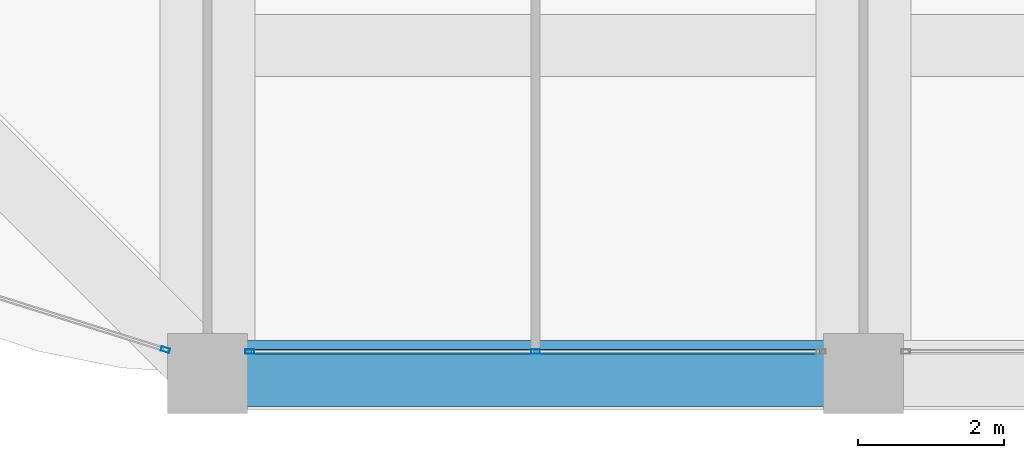
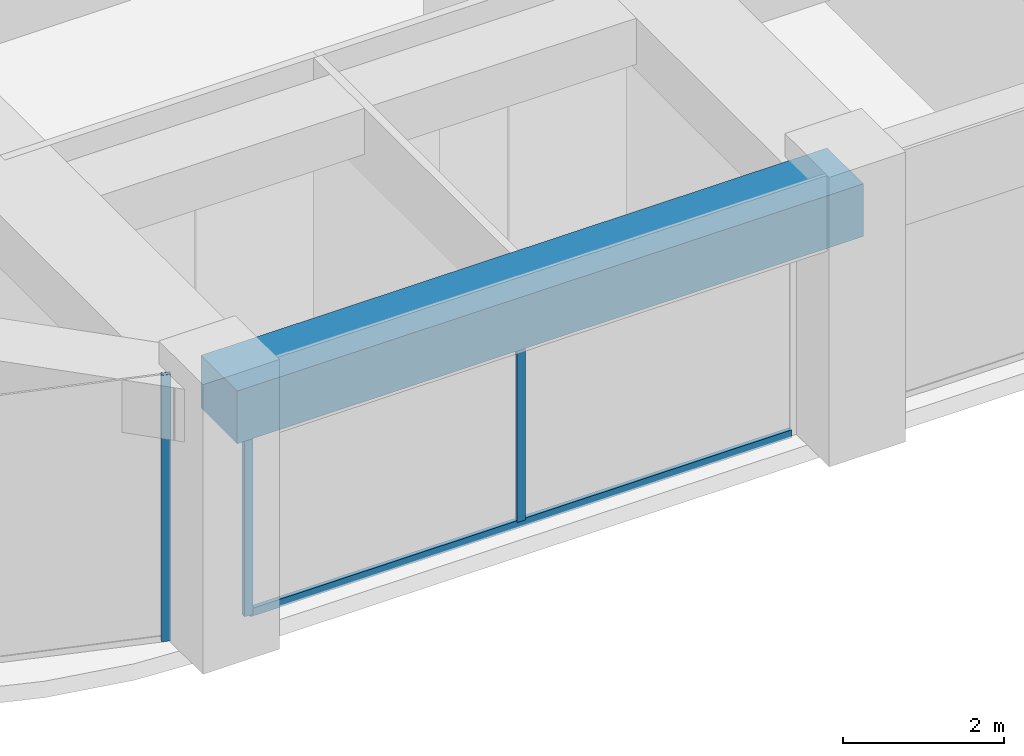
# One storey, part 4 of 44: 4 members, 1 beam, 2 elements without a shape of their own.
"""IFC4 building model written with IfcOpenShell, lengths in metres."""

from ifc_helpers import new_model, si_unit, direction, frame, origin, origin_2d, place, context, subcontext, project, spatial, rectangle, hollow_rectangle, extrude, material, material_profile, profile_set, type_object, element, aggregate, save


model = new_model("IFC4")

# Units and contexts
model_context = context("Model", 3, precision=1e-05, world=origin(), true_north=direction((0.0, 1.0)))
body_context = subcontext(model_context, "Body", "Model", "MODEL_VIEW")
ifc_project = project(units=[si_unit("LENGTHUNIT", "METRE"), si_unit("AREAUNIT", "SQUARE_METRE"), si_unit("VOLUMEUNIT", "CUBIC_METRE"), si_unit("PLANEANGLEUNIT", "RADIAN"), si_unit("MASSUNIT", "GRAM", prefix="KILO")], contexts=[model_context])

# Site, building, storey
site_placement = place(None, origin())
site = spatial("IfcSite", under=ifc_project, at=site_placement, CompositionType="ELEMENT")
building_placement = place(site_placement, origin())
building = spatial("IfcBuilding", under=site, at=building_placement, Name="Zorevar Civic Tower", CompositionType="ELEMENT")
storey_placement = place(building_placement, frame((0.0, 0.0, 307.39990234375)))
storey = spatial("IfcBuildingStorey", under=building, at=storey_placement, Name="L75", CompositionType="ELEMENT", Elevation=307.39990234375)

# Curtain wall, members
ifc_material_1 = material(Name="Dark grey solar-control glass in black aluminium frame", Category="aluminium")
curtain_wall_type = type_object("IfcCurtainWallType", Name="Curtain wall CW5 top zone", PredefinedType="NOTDEFINED", material=ifc_material_1)
curtain_wall_1_placement = place(storey_placement, origin())
curtain_wall_1 = element("IfcCurtainWall", 1, at=curtain_wall_1_placement, inside=storey, type_object=curtain_wall_type, Name="CW5 L75", PredefinedType="NOTDEFINED")
ifc_material_2 = material(Name="Aluminium, black anodised", Category="aluminium")
ifc_material_profile_1 = material_profile(ifc_material_2, hollow_rectangle(XDim=0.06005859375, YDim=0.1201171875, WallThickness=0.0029296875, at=origin_2d()), Name="AL 120x60x3")
ifc_profile_set_1 = profile_set([ifc_material_profile_1], Name="Aluminium, black anodised")
member_type_1 = type_object("IfcMemberType", Name="CW5 mullion AL 120x60x3", PredefinedType="MULLION", material=ifc_profile_set_1)
member_1_placement = place(storey_placement, frame((18.580078125, 0.300048828125, 0.0), z_axis=(0.0, 0.0, 1.0), x_axis=(0.0, 1.0, 0.0)))
member_1 = element("IfcMember", 2, at=member_1_placement, type_object=member_type_1, Name="CW5 mullion 1", PredefinedType="MULLION", context=body_context, shape_type="SweptSolid", body=[
    extrude(hollow_rectangle(XDim=0.06005859375, YDim=0.1201171875, WallThickness=0.0029296875, at=origin_2d()), origin(), (0.0, 0.0, 1.0), 3.25),
])
member_2_placement = place(storey_placement, frame((22.5, 0.300048828125, 0.06005859375), z_axis=(0.0, 0.0, 1.0), x_axis=(0.0, 1.0, 0.0)))
member_2 = element("IfcMember", 3, at=member_2_placement, type_object=member_type_1, Name="CW5 mullion 2", PredefinedType="MULLION", context=body_context, shape_type="SweptSolid", body=[
    extrude(hollow_rectangle(XDim=0.06005859375, YDim=0.1201171875, WallThickness=0.0029296875, at=origin_2d()), origin(), (0.0, 0.0, 1.0), 3.18994140625),
])

# Curtain wall, member
curtain_wall_2_placement = place(storey_placement, origin())
curtain_wall_2 = element("IfcCurtainWall", 4, at=curtain_wall_2_placement, inside=storey, type_object=curtain_wall_type, Name="CW5 L75", PredefinedType="NOTDEFINED")
member_3_placement = place(storey_placement, frame((17.42138671875, 0.326416015625, 0.0), z_axis=(0.0, 0.0, 1.0), x_axis=(0.299317920238, 0.954153437674, 0.0)))
member_3 = element("IfcMember", 5, at=member_3_placement, type_object=member_type_1, Name="CW5 mullion 2", PredefinedType="MULLION", context=body_context, shape_type="SweptSolid", body=[
    extrude(hollow_rectangle(XDim=0.06005859375, YDim=0.1201171875, WallThickness=0.0029296875, at=origin_2d()), origin(), (0.0, 0.0, 1.0), 4.050048828125),
])
aggregate(curtain_wall_2, [member_3])

# Member
ifc_material_3 = material(Name="Aluminium, black anodised", Category="aluminium")
ifc_material_profile_2 = material_profile(ifc_material_3, hollow_rectangle(XDim=0.06005859375, YDim=0.1201171875, WallThickness=0.0029296875, at=origin_2d()), Name="AL 120x60x3")
ifc_profile_set_2 = profile_set([ifc_material_profile_2], Name="Aluminium, black anodised")
member_type_2 = type_object("IfcMemberType", Name="CW5 transom AL 120x60x3", PredefinedType="USERDEFINED", material=ifc_profile_set_2)
member_4_placement = place(storey_placement, frame((18.610107421875, 0.300048828125, 0.030029296875), z_axis=(1.0, 0.0, 0.0), x_axis=(0.0, 1.0, 0.0)))
member_4 = element("IfcMember", 6, at=member_4_placement, type_object=member_type_2, Name="CW5 sill transom", ObjectType="TRANSOM", PredefinedType="USERDEFINED", context=body_context, shape_type="SweptSolid", body=[
    extrude(hollow_rectangle(XDim=0.06005859375, YDim=0.1201171875, WallThickness=0.0029296875, at=origin_2d()), origin(), (0.0, 0.0, 1.0), 7.77978515625),
])

aggregate(curtain_wall_1, [member_1, member_2, member_4])

# Beam
ifc_material_4 = material(Name="Concrete C50/60", Category="concrete")
ifc_material_profile_3 = material_profile(ifc_material_4, rectangle(XDim=0.89990234375, YDim=0.800048828125, at=origin_2d()), Name="RC 900x800")
ifc_profile_set_3 = profile_set([ifc_material_profile_3], Name="Concrete C50/60")
beam_type = type_object("IfcBeamType", Name="Edge beam RC 900x800", PredefinedType="SPANDREL", material=ifc_profile_set_3)
beam_placement = place(storey_placement, frame((18.0, 0.0, 3.650146484375), z_axis=(1.0, 0.0, 0.0), x_axis=(0.0, 1.0, 0.0)))
element("IfcBeam", 7, at=beam_placement, inside=storey, type_object=beam_type, Name="Edge beam RF", PredefinedType="SPANDREL", context=body_context, shape_type="SweptSolid", body=[
    extrude(rectangle(XDim=0.89990234375, YDim=0.800048828125, at=origin_2d()), origin(), (0.0, 0.0, 1.0), 9.0),
])

save(model, "model.ifc")
